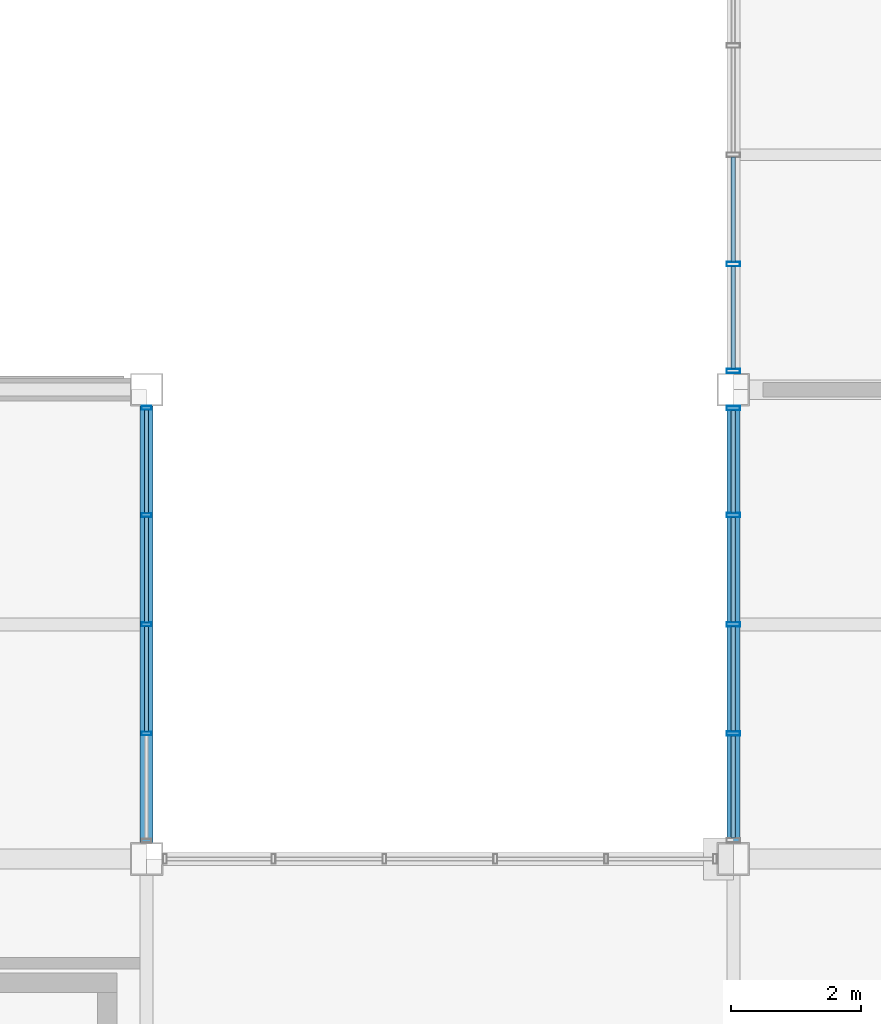
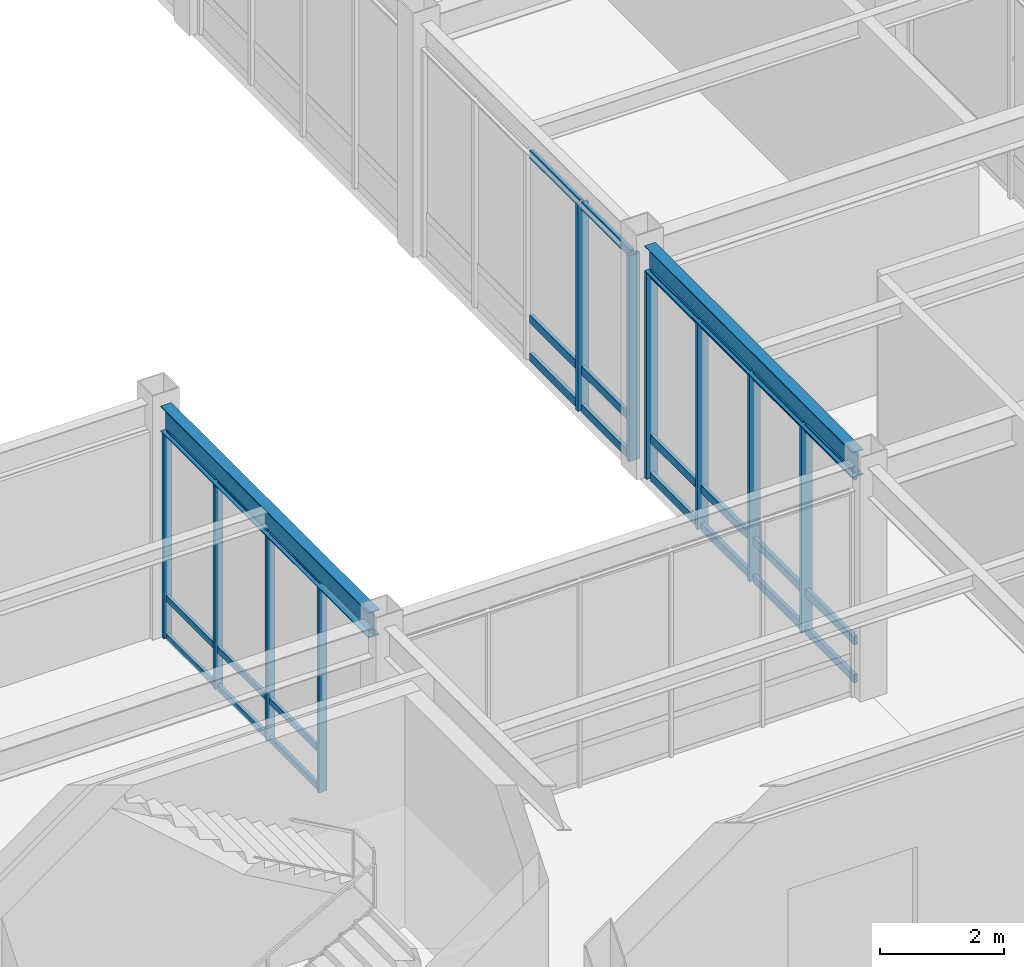
# One storey, part 28 of 112: 37 members, 2 beams, 3 elements without a shape of their own.
"""IFC4 building model written with IfcOpenShell, lengths in metres."""

from ifc_helpers import new_model, si_unit, direction, frame, origin, origin_2d, place, context, subcontext, project, spatial, hollow_rectangle, i_section, extrude, material, material_profile, profile_set, type_object, element, aggregate, save


model = new_model("IFC4")

# Units and contexts
model_context = context("Model", 3, precision=1e-05, world=origin(), true_north=direction((0.0, 1.0)))
body_context = subcontext(model_context, "Body", "Model", "MODEL_VIEW")
ifc_project = project(units=[si_unit("LENGTHUNIT", "METRE"), si_unit("AREAUNIT", "SQUARE_METRE"), si_unit("VOLUMEUNIT", "CUBIC_METRE"), si_unit("PLANEANGLEUNIT", "RADIAN"), si_unit("MASSUNIT", "GRAM", prefix="KILO")], contexts=[model_context])

# Site, building, storey
site_placement = place(None, origin())
site = spatial("IfcSite", under=ifc_project, at=site_placement, CompositionType="ELEMENT")
building_placement = place(site_placement, origin())
building = spatial("IfcBuilding", under=site, at=building_placement, Name="Kazanami Central Library", CompositionType="ELEMENT")
storey_placement = place(building_placement, origin())
storey = spatial("IfcBuildingStorey", under=building, at=storey_placement, Name="L01", CompositionType="ELEMENT", Elevation=0.0)

# Beams
ifc_material_1 = material(Name="Steel SN490B (325 MPa)", Category="steel")
ifc_material_profile_1 = material_profile(ifc_material_1, i_section(OverallWidth=0.199951171875, OverallDepth=0.5, WebThickness=0.010009765625, FlangeThickness=0.01611328125, at=origin_2d()), Name="H-500x200x10x16")
ifc_profile_set_1 = profile_set([ifc_material_profile_1], Name="Steel SN490B (325 MPa)")
beam_type = type_object("IfcBeamType", Name="BM-SP-1", PredefinedType="SPANDREL", material=ifc_profile_set_1)
for number, where, z_axis, x_axis, name in (
    (1, (36.0, 29.048095703125, 4.304931640625), (0.0, 1.0, 0.0), (-1.0, 0.0, 0.0), "Girder SP-1 L01 5/E-F"),
    (2, (45.0, 29.048095703125, 4.304931640625), (0.0, 1.0, 0.0), (-1.0, 0.0, 0.0), "Girder SP-1 L01 6/E-F"),
):
    element("IfcBeam", number, at=place(storey_placement, frame(where, z_axis=z_axis, x_axis=x_axis)), inside=storey, type_object=beam_type, Name=name, PredefinedType="SPANDREL", context=body_context, shape_type="SweptSolid", body=[
        extrude(i_section(OverallWidth=0.199951171875, OverallDepth=0.5, WebThickness=0.010009765625, FlangeThickness=0.01611328125, at=origin_2d()), origin(), (0.0, 0.0, 1.0), 6.703857421875),
    ])

# Curtain wall, members
ifc_material_2 = material(Name="Acid-Etched Low-E Laminated Glass", Category="glass")
curtain_wall_type = type_object("IfcCurtainWallType", Name="CW-6700x4055-M180", PredefinedType="USERDEFINED", material=ifc_material_2)
curtain_wall_1_placement = place(storey_placement, origin())
curtain_wall_1 = element("IfcCurtainWall", 3, at=curtain_wall_1_placement, inside=storey, type_object=curtain_wall_type, Name="Covered Link Bridge Curtain Wall CW-09 L01 W-6-04", ObjectType="UNITISED CURTAIN WALL", PredefinedType="USERDEFINED")
ifc_material_3 = material(Name="Anodised Aluminium A6063-T5", Category="aluminium")
ifc_material_profile_2 = material_profile(ifc_material_3, hollow_rectangle(XDim=0.070068359375, YDim=0.2099609375, WallThickness=0.0048828125, at=origin_2d()), Name="ALU-MULL-70x210x5")
ifc_profile_set_2 = profile_set([ifc_material_profile_2], Name="Anodised Aluminium A6063-T5")
member_type_1 = type_object("IfcMemberType", Name="MEM-CW-M1", PredefinedType="MULLION", material=ifc_profile_set_2)
member_1_placement = place(storey_placement, frame((45.0, 30.72509765625, 0.0), z_axis=(0.0, 0.0, 1.0), x_axis=(0.0, 1.0, 0.0)))
member_1 = element("IfcMember", 4, at=member_1_placement, type_object=member_type_1, Name="CW-09 mullion 2", PredefinedType="MULLION", context=body_context, shape_type="SweptSolid", body=[
    extrude(hollow_rectangle(XDim=0.070068359375, YDim=0.2099609375, WallThickness=0.0048828125, at=origin_2d()), origin(), (0.0, 0.0, 1.0), 4.054931640625),
])
member_2_placement = place(storey_placement, frame((45.0, 32.39990234375, 0.0), z_axis=(0.0, 0.0, 1.0), x_axis=(0.0, 1.0, 0.0)))
member_2 = element("IfcMember", 5, at=member_2_placement, type_object=member_type_1, Name="CW-09 mullion 3", PredefinedType="MULLION", context=body_context, shape_type="SweptSolid", body=[
    extrude(hollow_rectangle(XDim=0.070068359375, YDim=0.2099609375, WallThickness=0.0048828125, at=origin_2d()), origin(), (0.0, 0.0, 1.0), 4.054931640625),
])
member_3_placement = place(storey_placement, frame((45.0, 34.074951171875, 0.0), z_axis=(0.0, 0.0, 1.0), x_axis=(0.0, 1.0, 0.0)))
member_3 = element("IfcMember", 6, at=member_3_placement, type_object=member_type_1, Name="CW-09 mullion 4", PredefinedType="MULLION", context=body_context, shape_type="SweptSolid", body=[
    extrude(hollow_rectangle(XDim=0.070068359375, YDim=0.2099609375, WallThickness=0.0048828125, at=origin_2d()), origin(), (0.0, 0.0, 1.0), 4.054931640625),
])
member_4_placement = place(storey_placement, frame((45.0, 35.715087890625, 0.0), z_axis=(0.0, 0.0, 1.0), x_axis=(0.0, 1.0, 0.0)))
member_4 = element("IfcMember", 7, at=member_4_placement, type_object=member_type_1, Name="CW-09 mullion 5", PredefinedType="MULLION", context=body_context, shape_type="SweptSolid", body=[
    extrude(hollow_rectangle(XDim=0.070068359375, YDim=0.2099609375, WallThickness=0.0048828125, at=origin_2d()), origin(), (0.0, 0.0, 1.0), 4.054931640625),
])

curtain_wall_2_placement = place(storey_placement, origin())
curtain_wall_2 = element("IfcCurtainWall", 8, at=curtain_wall_2_placement, inside=storey, type_object=curtain_wall_type, Name="Covered Link Bridge Curtain Wall CW-09 L01 W-6-05", ObjectType="UNITISED CURTAIN WALL", PredefinedType="USERDEFINED")
member_5_placement = place(storey_placement, frame((45.0, 36.284912109375, 0.0), z_axis=(0.0, 0.0, 1.0), x_axis=(0.0, 1.0, 0.0)))
member_5 = element("IfcMember", 9, at=member_5_placement, type_object=member_type_1, Name="CW-09 mullion 1", PredefinedType="MULLION", context=body_context, shape_type="SweptSolid", body=[
    extrude(hollow_rectangle(XDim=0.070068359375, YDim=0.2099609375, WallThickness=0.0048828125, at=origin_2d()), origin(), (0.0, 0.0, 1.0), 4.054931640625),
])
member_6_placement = place(storey_placement, frame((45.0, 37.925048828125, 0.0), z_axis=(0.0, 0.0, 1.0), x_axis=(0.0, 1.0, 0.0)))
member_6 = element("IfcMember", 10, at=member_6_placement, type_object=member_type_1, Name="CW-09 mullion 2", PredefinedType="MULLION", context=body_context, shape_type="SweptSolid", body=[
    extrude(hollow_rectangle(XDim=0.070068359375, YDim=0.2099609375, WallThickness=0.0048828125, at=origin_2d()), origin(), (0.0, 0.0, 1.0), 4.054931640625),
])

curtain_wall_3_placement = place(storey_placement, origin())
curtain_wall_3 = element("IfcCurtainWall", 11, at=curtain_wall_3_placement, inside=storey, type_object=curtain_wall_type, Name="Covered Link Bridge Curtain Wall CW-09 L01 E-5-04", ObjectType="UNITISED CURTAIN WALL", PredefinedType="USERDEFINED")
ifc_material_profile_3 = material_profile(ifc_material_3, hollow_rectangle(XDim=0.06005859375, YDim=0.14990234375, WallThickness=0.00390625, at=origin_2d()), Name="ALU-MULL-60x150x4")
ifc_profile_set_3 = profile_set([ifc_material_profile_3], Name="Anodised Aluminium A6063-T5")
member_type_2 = type_object("IfcMemberType", Name="MEM-CW-M3", PredefinedType="MULLION", material=ifc_profile_set_3)
member_7_placement = place(storey_placement, frame((36.0, 35.719970703125, 0.0), z_axis=(0.0, 0.0, 1.0), x_axis=(0.0, -1.0, 0.0)))
member_7 = element("IfcMember", 12, at=member_7_placement, type_object=member_type_2, Name="CW-09 mullion 1", PredefinedType="MULLION", context=body_context, shape_type="SweptSolid", body=[
    extrude(hollow_rectangle(XDim=0.06005859375, YDim=0.14990234375, WallThickness=0.00390625, at=origin_2d()), origin(), (0.0, 0.0, 1.0), 4.054931640625),
])
member_8_placement = place(storey_placement, frame((36.0, 34.074951171875, 0.0), z_axis=(0.0, 0.0, 1.0), x_axis=(0.0, -1.0, 0.0)))
member_8 = element("IfcMember", 13, at=member_8_placement, type_object=member_type_2, Name="CW-09 mullion 2", PredefinedType="MULLION", context=body_context, shape_type="SweptSolid", body=[
    extrude(hollow_rectangle(XDim=0.06005859375, YDim=0.14990234375, WallThickness=0.00390625, at=origin_2d()), origin(), (0.0, 0.0, 1.0), 4.054931640625),
])
member_9_placement = place(storey_placement, frame((36.0, 32.39990234375, 0.0), z_axis=(0.0, 0.0, 1.0), x_axis=(0.0, -1.0, 0.0)))
member_9 = element("IfcMember", 14, at=member_9_placement, type_object=member_type_2, Name="CW-09 mullion 3", PredefinedType="MULLION", context=body_context, shape_type="SweptSolid", body=[
    extrude(hollow_rectangle(XDim=0.06005859375, YDim=0.14990234375, WallThickness=0.00390625, at=origin_2d()), origin(), (0.0, 0.0, 1.0), 4.054931640625),
])
member_10_placement = place(storey_placement, frame((36.0, 30.72509765625, 0.0), z_axis=(0.0, 0.0, 1.0), x_axis=(0.0, -1.0, 0.0)))
member_10 = element("IfcMember", 15, at=member_10_placement, type_object=member_type_2, Name="CW-09 mullion 4", PredefinedType="MULLION", context=body_context, shape_type="SweptSolid", body=[
    extrude(hollow_rectangle(XDim=0.06005859375, YDim=0.14990234375, WallThickness=0.00390625, at=origin_2d()), origin(), (0.0, 0.0, 1.0), 4.054931640625),
])

# Member
ifc_material_profile_4 = material_profile(ifc_material_3, hollow_rectangle(XDim=0.070068359375, YDim=0.159912109375, WallThickness=0.00390625, at=origin_2d()), Name="ALU-TRAN-70x160x4")
ifc_profile_set_4 = profile_set([ifc_material_profile_4], Name="Anodised Aluminium A6063-T5")
member_type_3 = type_object("IfcMemberType", Name="MEM-CW-T1", PredefinedType="USERDEFINED", material=ifc_profile_set_4)
member_11_placement = place(storey_placement, frame((45.0, 29.1201171875, 0.034912109375), z_axis=(0.0, 1.0, 0.0), x_axis=(-1.0, 0.0, 0.0)))
member_11 = element("IfcMember", 16, at=member_11_placement, type_object=member_type_3, Name="CW-09 transom 1.1", ObjectType="TRANSOM", PredefinedType="USERDEFINED", context=body_context, shape_type="SweptSolid", body=[
    extrude(hollow_rectangle(XDim=0.070068359375, YDim=0.159912109375, WallThickness=0.00390625, at=origin_2d()), origin(), (0.0, 0.0, 1.0), 1.56982421875),
])

member_12_placement = place(storey_placement, frame((45.0, 29.1201171875, 0.780029296875), z_axis=(0.0, 1.0, 0.0), x_axis=(-1.0, 0.0, 0.0)))
member_12 = element("IfcMember", 17, at=member_12_placement, type_object=member_type_3, Name="CW-09 transom 1.2", ObjectType="TRANSOM", PredefinedType="USERDEFINED", context=body_context, shape_type="SweptSolid", body=[
    extrude(hollow_rectangle(XDim=0.070068359375, YDim=0.159912109375, WallThickness=0.00390625, at=origin_2d()), origin(), (0.0, 0.0, 1.0), 1.56982421875),
])

member_13_placement = place(storey_placement, frame((45.0, 29.1201171875, 4.02001953125), z_axis=(0.0, 1.0, 0.0), x_axis=(-1.0, 0.0, 0.0)))
member_13 = element("IfcMember", 18, at=member_13_placement, type_object=member_type_3, Name="CW-09 transom 1.3", ObjectType="TRANSOM", PredefinedType="USERDEFINED", context=body_context, shape_type="SweptSolid", body=[
    extrude(hollow_rectangle(XDim=0.070068359375, YDim=0.159912109375, WallThickness=0.00390625, at=origin_2d()), origin(), (0.0, 0.0, 1.0), 1.56982421875),
])

member_14_placement = place(storey_placement, frame((45.0, 30.760009765625, 0.034912109375), z_axis=(0.0, 1.0, 0.0), x_axis=(-1.0, 0.0, 0.0)))
member_14 = element("IfcMember", 19, at=member_14_placement, type_object=member_type_3, Name="CW-09 transom 2.1", ObjectType="TRANSOM", PredefinedType="USERDEFINED", context=body_context, shape_type="SweptSolid", body=[
    extrude(hollow_rectangle(XDim=0.070068359375, YDim=0.159912109375, WallThickness=0.00390625, at=origin_2d()), origin(), (0.0, 0.0, 1.0), 1.60498046875),
])

member_15_placement = place(storey_placement, frame((45.0, 30.760009765625, 0.780029296875), z_axis=(0.0, 1.0, 0.0), x_axis=(-1.0, 0.0, 0.0)))
member_15 = element("IfcMember", 20, at=member_15_placement, type_object=member_type_3, Name="CW-09 transom 2.2", ObjectType="TRANSOM", PredefinedType="USERDEFINED", context=body_context, shape_type="SweptSolid", body=[
    extrude(hollow_rectangle(XDim=0.070068359375, YDim=0.159912109375, WallThickness=0.00390625, at=origin_2d()), origin(), (0.0, 0.0, 1.0), 1.60498046875),
])

member_16_placement = place(storey_placement, frame((45.0, 30.760009765625, 4.02001953125), z_axis=(0.0, 1.0, 0.0), x_axis=(-1.0, 0.0, 0.0)))
member_16 = element("IfcMember", 21, at=member_16_placement, type_object=member_type_3, Name="CW-09 transom 2.3", ObjectType="TRANSOM", PredefinedType="USERDEFINED", context=body_context, shape_type="SweptSolid", body=[
    extrude(hollow_rectangle(XDim=0.070068359375, YDim=0.159912109375, WallThickness=0.00390625, at=origin_2d()), origin(), (0.0, 0.0, 1.0), 1.60498046875),
])

member_17_placement = place(storey_placement, frame((45.0, 32.43505859375, 0.034912109375), z_axis=(0.0, 1.0, 0.0), x_axis=(-1.0, 0.0, 0.0)))
member_17 = element("IfcMember", 22, at=member_17_placement, type_object=member_type_3, Name="CW-09 transom 3.1", ObjectType="TRANSOM", PredefinedType="USERDEFINED", context=body_context, shape_type="SweptSolid", body=[
    extrude(hollow_rectangle(XDim=0.070068359375, YDim=0.159912109375, WallThickness=0.00390625, at=origin_2d()), origin(), (0.0, 0.0, 1.0), 1.60498046875),
])

member_18_placement = place(storey_placement, frame((45.0, 32.43505859375, 0.780029296875), z_axis=(0.0, 1.0, 0.0), x_axis=(-1.0, 0.0, 0.0)))
member_18 = element("IfcMember", 23, at=member_18_placement, type_object=member_type_3, Name="CW-09 transom 3.2", ObjectType="TRANSOM", PredefinedType="USERDEFINED", context=body_context, shape_type="SweptSolid", body=[
    extrude(hollow_rectangle(XDim=0.070068359375, YDim=0.159912109375, WallThickness=0.00390625, at=origin_2d()), origin(), (0.0, 0.0, 1.0), 1.60498046875),
])

member_19_placement = place(storey_placement, frame((45.0, 32.43505859375, 4.02001953125), z_axis=(0.0, 1.0, 0.0), x_axis=(-1.0, 0.0, 0.0)))
member_19 = element("IfcMember", 24, at=member_19_placement, type_object=member_type_3, Name="CW-09 transom 3.3", ObjectType="TRANSOM", PredefinedType="USERDEFINED", context=body_context, shape_type="SweptSolid", body=[
    extrude(hollow_rectangle(XDim=0.070068359375, YDim=0.159912109375, WallThickness=0.00390625, at=origin_2d()), origin(), (0.0, 0.0, 1.0), 1.60498046875),
])

member_20_placement = place(storey_placement, frame((45.0, 34.110107421875, 0.034912109375), z_axis=(0.0, 1.0, 0.0), x_axis=(-1.0, 0.0, 0.0)))
member_20 = element("IfcMember", 25, at=member_20_placement, type_object=member_type_3, Name="CW-09 transom 4.1", ObjectType="TRANSOM", PredefinedType="USERDEFINED", context=body_context, shape_type="SweptSolid", body=[
    extrude(hollow_rectangle(XDim=0.070068359375, YDim=0.159912109375, WallThickness=0.00390625, at=origin_2d()), origin(), (0.0, 0.0, 1.0), 1.56982421875),
])

member_21_placement = place(storey_placement, frame((45.0, 34.110107421875, 0.780029296875), z_axis=(0.0, 1.0, 0.0), x_axis=(-1.0, 0.0, 0.0)))
member_21 = element("IfcMember", 26, at=member_21_placement, type_object=member_type_3, Name="CW-09 transom 4.2", ObjectType="TRANSOM", PredefinedType="USERDEFINED", context=body_context, shape_type="SweptSolid", body=[
    extrude(hollow_rectangle(XDim=0.070068359375, YDim=0.159912109375, WallThickness=0.00390625, at=origin_2d()), origin(), (0.0, 0.0, 1.0), 1.56982421875),
])

member_22_placement = place(storey_placement, frame((45.0, 34.110107421875, 4.02001953125), z_axis=(0.0, 1.0, 0.0), x_axis=(-1.0, 0.0, 0.0)))
member_22 = element("IfcMember", 27, at=member_22_placement, type_object=member_type_3, Name="CW-09 transom 4.3", ObjectType="TRANSOM", PredefinedType="USERDEFINED", context=body_context, shape_type="SweptSolid", body=[
    extrude(hollow_rectangle(XDim=0.070068359375, YDim=0.159912109375, WallThickness=0.00390625, at=origin_2d()), origin(), (0.0, 0.0, 1.0), 1.56982421875),
])

aggregate(curtain_wall_1, [member_1, member_2, member_3, member_4, member_11, member_12, member_13, member_14, member_15, member_16, member_17, member_18, member_19, member_20, member_21, member_22])

member_23_placement = place(storey_placement, frame((45.0, 36.320068359375, 0.034912109375), z_axis=(0.0, 1.0, 0.0), x_axis=(-1.0, 0.0, 0.0)))
member_23 = element("IfcMember", 28, at=member_23_placement, type_object=member_type_3, Name="CW-09 transom 1.1", ObjectType="TRANSOM", PredefinedType="USERDEFINED", context=body_context, shape_type="SweptSolid", body=[
    extrude(hollow_rectangle(XDim=0.070068359375, YDim=0.159912109375, WallThickness=0.00390625, at=origin_2d()), origin(), (0.0, 0.0, 1.0), 1.56982421875),
])

member_24_placement = place(storey_placement, frame((45.0, 36.320068359375, 0.780029296875), z_axis=(0.0, 1.0, 0.0), x_axis=(-1.0, 0.0, 0.0)))
member_24 = element("IfcMember", 29, at=member_24_placement, type_object=member_type_3, Name="CW-09 transom 1.2", ObjectType="TRANSOM", PredefinedType="USERDEFINED", context=body_context, shape_type="SweptSolid", body=[
    extrude(hollow_rectangle(XDim=0.070068359375, YDim=0.159912109375, WallThickness=0.00390625, at=origin_2d()), origin(), (0.0, 0.0, 1.0), 1.56982421875),
])

member_25_placement = place(storey_placement, frame((45.0, 36.320068359375, 4.02001953125), z_axis=(0.0, 1.0, 0.0), x_axis=(-1.0, 0.0, 0.0)))
member_25 = element("IfcMember", 30, at=member_25_placement, type_object=member_type_3, Name="CW-09 transom 1.3", ObjectType="TRANSOM", PredefinedType="USERDEFINED", context=body_context, shape_type="SweptSolid", body=[
    extrude(hollow_rectangle(XDim=0.070068359375, YDim=0.159912109375, WallThickness=0.00390625, at=origin_2d()), origin(), (0.0, 0.0, 1.0), 1.56982421875),
])

member_26_placement = place(storey_placement, frame((45.0, 37.9599609375, 0.034912109375), z_axis=(0.0, 1.0, 0.0), x_axis=(-1.0, 0.0, 0.0)))
member_26 = element("IfcMember", 31, at=member_26_placement, type_object=member_type_3, Name="CW-09 transom 2.1", ObjectType="TRANSOM", PredefinedType="USERDEFINED", context=body_context, shape_type="SweptSolid", body=[
    extrude(hollow_rectangle(XDim=0.070068359375, YDim=0.159912109375, WallThickness=0.00390625, at=origin_2d()), origin(), (0.0, 0.0, 1.0), 1.60498046875),
])

member_27_placement = place(storey_placement, frame((45.0, 37.9599609375, 0.780029296875), z_axis=(0.0, 1.0, 0.0), x_axis=(-1.0, 0.0, 0.0)))
member_27 = element("IfcMember", 32, at=member_27_placement, type_object=member_type_3, Name="CW-09 transom 2.2", ObjectType="TRANSOM", PredefinedType="USERDEFINED", context=body_context, shape_type="SweptSolid", body=[
    extrude(hollow_rectangle(XDim=0.070068359375, YDim=0.159912109375, WallThickness=0.00390625, at=origin_2d()), origin(), (0.0, 0.0, 1.0), 1.60498046875),
])

member_28_placement = place(storey_placement, frame((45.0, 37.9599609375, 4.02001953125), z_axis=(0.0, 1.0, 0.0), x_axis=(-1.0, 0.0, 0.0)))
member_28 = element("IfcMember", 33, at=member_28_placement, type_object=member_type_3, Name="CW-09 transom 2.3", ObjectType="TRANSOM", PredefinedType="USERDEFINED", context=body_context, shape_type="SweptSolid", body=[
    extrude(hollow_rectangle(XDim=0.070068359375, YDim=0.159912109375, WallThickness=0.00390625, at=origin_2d()), origin(), (0.0, 0.0, 1.0), 1.60498046875),
])

aggregate(curtain_wall_2, [member_5, member_6, member_23, member_24, member_25, member_26, member_27, member_28])

ifc_material_profile_5 = material_profile(ifc_material_3, hollow_rectangle(XDim=0.06005859375, YDim=0.1201171875, WallThickness=0.00341796875, at=origin_2d()), Name="ALU-TRAN-60x120x3.5")
ifc_profile_set_5 = profile_set([ifc_material_profile_5], Name="Anodised Aluminium A6063-T5")
member_type_4 = type_object("IfcMemberType", Name="MEM-CW-T3", PredefinedType="USERDEFINED", material=ifc_profile_set_5)
member_29_placement = place(storey_placement, frame((36.0, 35.68994140625, 0.030029296875), z_axis=(0.0, -1.0, 0.0), x_axis=(1.0, 0.0, 0.0)))
member_29 = element("IfcMember", 34, at=member_29_placement, type_object=member_type_4, Name="CW-09 transom 1.1", ObjectType="TRANSOM", PredefinedType="USERDEFINED", context=body_context, shape_type="SweptSolid", body=[
    extrude(hollow_rectangle(XDim=0.06005859375, YDim=0.1201171875, WallThickness=0.00341796875, at=origin_2d()), origin(), (0.0, 0.0, 1.0), 1.5849609375),
])

member_30_placement = place(storey_placement, frame((36.0, 35.68994140625, 0.780029296875), z_axis=(0.0, -1.0, 0.0), x_axis=(1.0, 0.0, 0.0)))
member_30 = element("IfcMember", 35, at=member_30_placement, type_object=member_type_4, Name="CW-09 transom 1.2", ObjectType="TRANSOM", PredefinedType="USERDEFINED", context=body_context, shape_type="SweptSolid", body=[
    extrude(hollow_rectangle(XDim=0.06005859375, YDim=0.1201171875, WallThickness=0.00341796875, at=origin_2d()), origin(), (0.0, 0.0, 1.0), 1.5849609375),
])

member_31_placement = place(storey_placement, frame((36.0, 35.68994140625, 4.02490234375), z_axis=(0.0, -1.0, 0.0), x_axis=(1.0, 0.0, 0.0)))
member_31 = element("IfcMember", 36, at=member_31_placement, type_object=member_type_4, Name="CW-09 transom 1.3", ObjectType="TRANSOM", PredefinedType="USERDEFINED", context=body_context, shape_type="SweptSolid", body=[
    extrude(hollow_rectangle(XDim=0.06005859375, YDim=0.1201171875, WallThickness=0.00341796875, at=origin_2d()), origin(), (0.0, 0.0, 1.0), 1.5849609375),
])

member_32_placement = place(storey_placement, frame((36.0, 34.044921875, 0.030029296875), z_axis=(0.0, -1.0, 0.0), x_axis=(1.0, 0.0, 0.0)))
member_32 = element("IfcMember", 37, at=member_32_placement, type_object=member_type_4, Name="CW-09 transom 2.1", ObjectType="TRANSOM", PredefinedType="USERDEFINED", context=body_context, shape_type="SweptSolid", body=[
    extrude(hollow_rectangle(XDim=0.06005859375, YDim=0.1201171875, WallThickness=0.00341796875, at=origin_2d()), origin(), (0.0, 0.0, 1.0), 1.614990234375),
])

member_33_placement = place(storey_placement, frame((36.0, 34.044921875, 0.780029296875), z_axis=(0.0, -1.0, 0.0), x_axis=(1.0, 0.0, 0.0)))
member_33 = element("IfcMember", 38, at=member_33_placement, type_object=member_type_4, Name="CW-09 transom 2.2", ObjectType="TRANSOM", PredefinedType="USERDEFINED", context=body_context, shape_type="SweptSolid", body=[
    extrude(hollow_rectangle(XDim=0.06005859375, YDim=0.1201171875, WallThickness=0.00341796875, at=origin_2d()), origin(), (0.0, 0.0, 1.0), 1.614990234375),
])

member_34_placement = place(storey_placement, frame((36.0, 34.044921875, 4.02490234375), z_axis=(0.0, -1.0, 0.0), x_axis=(1.0, 0.0, 0.0)))
member_34 = element("IfcMember", 39, at=member_34_placement, type_object=member_type_4, Name="CW-09 transom 2.3", ObjectType="TRANSOM", PredefinedType="USERDEFINED", context=body_context, shape_type="SweptSolid", body=[
    extrude(hollow_rectangle(XDim=0.06005859375, YDim=0.1201171875, WallThickness=0.00341796875, at=origin_2d()), origin(), (0.0, 0.0, 1.0), 1.614990234375),
])

member_35_placement = place(storey_placement, frame((36.0, 32.3701171875, 0.030029296875), z_axis=(0.0, -1.0, 0.0), x_axis=(1.0, 0.0, 0.0)))
member_35 = element("IfcMember", 40, at=member_35_placement, type_object=member_type_4, Name="CW-09 transom 3.1", ObjectType="TRANSOM", PredefinedType="USERDEFINED", context=body_context, shape_type="SweptSolid", body=[
    extrude(hollow_rectangle(XDim=0.06005859375, YDim=0.1201171875, WallThickness=0.00341796875, at=origin_2d()), origin(), (0.0, 0.0, 1.0), 1.615234375),
])

member_36_placement = place(storey_placement, frame((36.0, 32.3701171875, 0.780029296875), z_axis=(0.0, -1.0, 0.0), x_axis=(1.0, 0.0, 0.0)))
member_36 = element("IfcMember", 41, at=member_36_placement, type_object=member_type_4, Name="CW-09 transom 3.2", ObjectType="TRANSOM", PredefinedType="USERDEFINED", context=body_context, shape_type="SweptSolid", body=[
    extrude(hollow_rectangle(XDim=0.06005859375, YDim=0.1201171875, WallThickness=0.00341796875, at=origin_2d()), origin(), (0.0, 0.0, 1.0), 1.615234375),
])

member_37_placement = place(storey_placement, frame((36.0, 32.3701171875, 4.02490234375), z_axis=(0.0, -1.0, 0.0), x_axis=(1.0, 0.0, 0.0)))
member_37 = element("IfcMember", 42, at=member_37_placement, type_object=member_type_4, Name="CW-09 transom 3.3", ObjectType="TRANSOM", PredefinedType="USERDEFINED", context=body_context, shape_type="SweptSolid", body=[
    extrude(hollow_rectangle(XDim=0.06005859375, YDim=0.1201171875, WallThickness=0.00341796875, at=origin_2d()), origin(), (0.0, 0.0, 1.0), 1.615234375),
])

aggregate(curtain_wall_3, [member_7, member_8, member_9, member_10, member_29, member_30, member_31, member_32, member_33, member_34, member_35, member_36, member_37])

save(model, "model.ifc")
